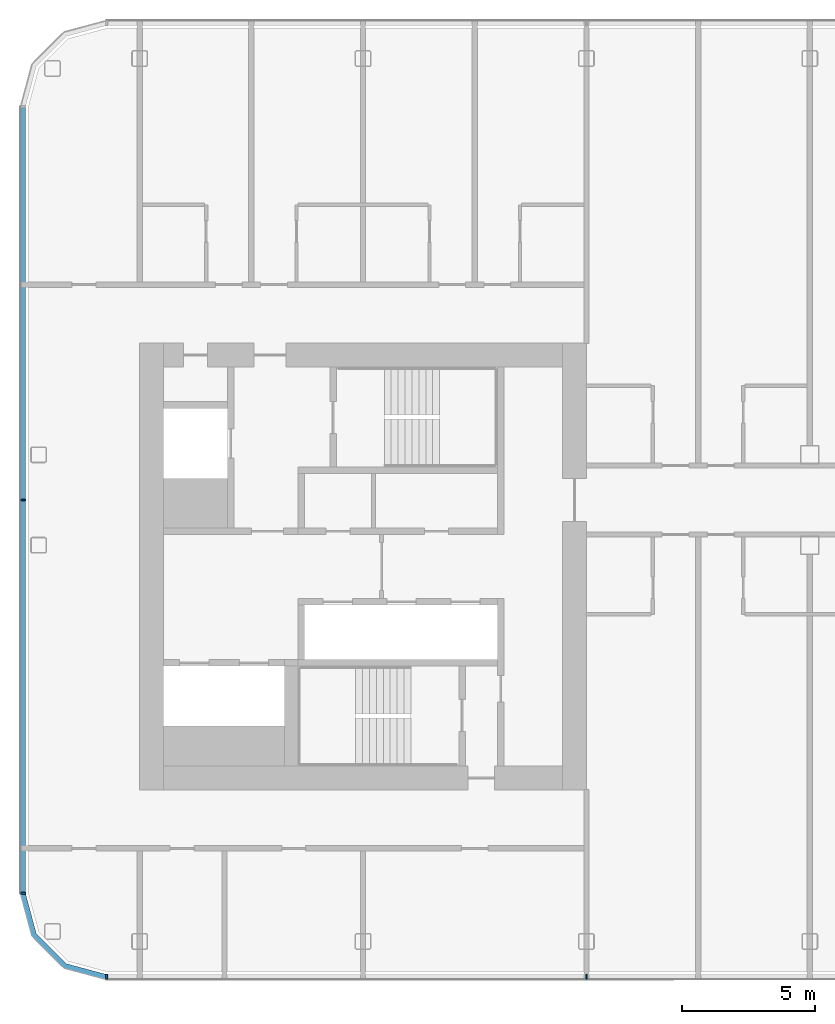
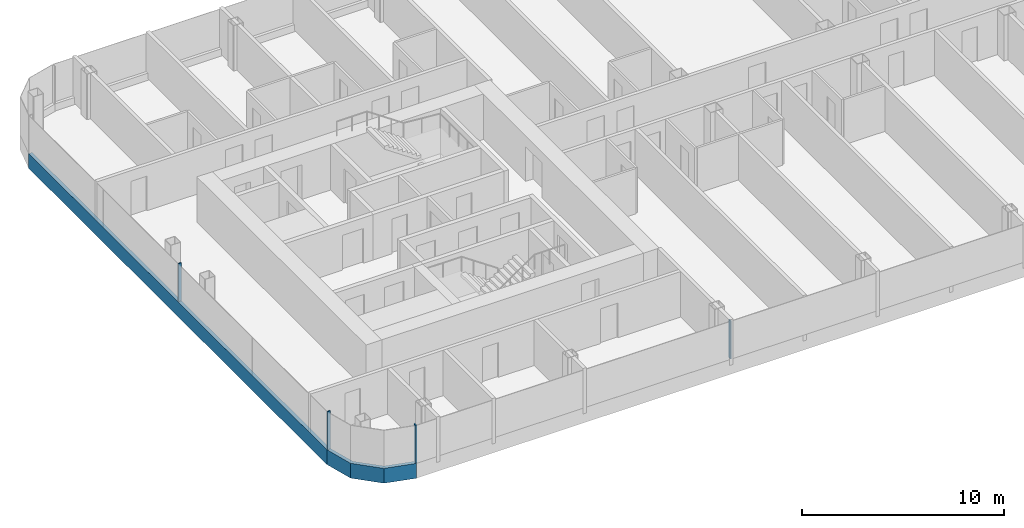
# One storey, part 2 of 26: 6 members, 3 elements without a shape of their own.
"""IFC4 building model written with IfcOpenShell, lengths in metres."""

import ifcopenshell
import ifcopenshell.guid

model = None  # the IFC model being written
_history = None  # IfcOwnerHistory: only IFC2X3 demands one
_inside = {}  # id of a spatial element -> (the spatial element, [elements in it])
_under = {}  # id of a project, library or spatial element -> (it, [spatial elements below it])
_declared = {}  # id of a project -> (the project, [libraries it declares])
_typed = {}  # id of a type object -> (the type object, [elements of that type])
_made_of = {}  # id of a material, layer set ... -> (it, [elements and type objects made of it])


def new_model(schema):
    """Start an empty IFC model of exactly this schema.

    Asked for "IFC4X3", IfcOpenShell would pick the latest addendum, in which some entities
    have other attributes; the version numbers below select the first issue.
    IFC2X3 requires an IfcOwnerHistory on every rooted entity: one is made here for all.
    """
    global model, _history
    if schema == "IFC4X3":
        model = ifcopenshell.file(schema_version=(4, 3, 0, 0))
    else:
        model = ifcopenshell.file(schema=schema)
    _inside.clear()
    _under.clear()
    _declared.clear()
    _typed.clear()
    _made_of.clear()
    _history = None
    if model.schema == "IFC2X3":
        org = make("IfcOrganization", Name="unknown")
        user = make(
            "IfcPersonAndOrganization",
            ThePerson=make("IfcPerson", FamilyName="unknown"),
            TheOrganization=org,
        )
        app = make(
            "IfcApplication",
            ApplicationDeveloper=org,
            Version="unknown",
            ApplicationFullName="unknown",
            ApplicationIdentifier="unknown",
        )
        _history = make(
            "IfcOwnerHistory",
            OwningUser=user,
            OwningApplication=app,
            ChangeAction="ADDED",
            CreationDate=0,
        )
    return model


def make(cls, **values):
    """One entity of the class cls with the attributes given. An attribute that is None is left unset."""
    return model.create_entity(
        cls, **{name: value for name, value in values.items() if value is not None}
    )


def rooted(cls, **values):
    """An entity with a GlobalId (a new one), such as an element, a storey or a relation."""
    return make(cls, GlobalId=ifcopenshell.guid.new(), OwnerHistory=_history, **values)


def si_unit(unit_type, name, prefix=None):
    """IfcSIUnit, for example si_unit("LENGTHUNIT", "METRE", prefix="MILLI")."""
    return make("IfcSIUnit", UnitType=unit_type, Prefix=prefix, Name=name)


def assignment(units):
    """IfcUnitAssignment: the units of a project."""
    return None if units is None else make("IfcUnitAssignment", Units=units)


def point(xyz):
    """IfcCartesianPoint."""
    return None if xyz is None else make("IfcCartesianPoint", Coordinates=xyz)


def direction(xyz):
    """IfcDirection."""
    return None if xyz is None else make("IfcDirection", DirectionRatios=xyz)


def frame(location, z_axis=None, x_axis=None):
    """IfcAxis2Placement3D, a coordinate frame: its origin and axes. An axis left out is left unset."""
    return make(
        "IfcAxis2Placement3D",
        Location=point(location),
        Axis=direction(z_axis),
        RefDirection=direction(x_axis),
    )


def frame_2d(location, x_axis=None):
    """IfcAxis2Placement2D, a coordinate frame in the plane: its origin and x axis."""
    return make(
        "IfcAxis2Placement2D", Location=point(location), RefDirection=direction(x_axis)
    )


def origin():
    """The frame at (0, 0, 0) with its axes left unset."""
    return frame((0.0, 0.0, 0.0))


def origin_2d():
    """The frame at (0, 0) in the plane with its x axis left unset."""
    return frame_2d((0.0, 0.0))


def place(relative_to, where):
    """IfcLocalPlacement: puts the frame where relative to a parent placement (None: the world)."""
    return make(
        "IfcLocalPlacement", PlacementRelTo=relative_to, RelativePlacement=where
    )


def context(
    kind, dimensions, precision=None, world=None, true_north=None, identifier=None
):
    """IfcGeometricRepresentationContext, for example the 3D "Model" context."""
    return make(
        "IfcGeometricRepresentationContext",
        ContextIdentifier=identifier,
        ContextType=kind,
        CoordinateSpaceDimension=dimensions,
        Precision=precision,
        WorldCoordinateSystem=world,
        TrueNorth=true_north,
    )


def subcontext(parent, identifier, kind, view, scale=None):
    """IfcGeometricRepresentationSubContext, for example "Body" below "Model"."""
    return make(
        "IfcGeometricRepresentationSubContext",
        ContextIdentifier=identifier,
        ContextType=kind,
        ParentContext=parent,
        TargetScale=scale,
        TargetView=view,
    )


def project(units=None, contexts=None):
    """IfcProject with its units and contexts."""
    return rooted(
        "IfcProject",
        Name="project",
        RepresentationContexts=contexts,
        UnitsInContext=assignment(units),
    )


def spatial(cls, under=None, at=None, **own):
    """A site, building, storey or space (cls), placed at a placement, below another one or the project."""
    s = rooted(cls, ObjectPlacement=at, **own)
    if under is not None:
        _under.setdefault(under.id(), (under, []))[1].append(s)
    return s


def polyline(points):
    """IfcPolyline through the points."""
    return make("IfcPolyline", Points=[point(p) for p in points])


def profile(cls, at=None, kind="AREA", **sizes):
    """A parametric profile (cls). Its sizes go by their IFC names, for example OverallWidth=200.0."""
    return make(cls, ProfileType=kind, Position=at, **sizes)


def rectangle(**sizes):
    """IfcRectangleProfileDef."""
    return profile("IfcRectangleProfileDef", **sizes)


def outline(outer, holes=None, kind="AREA"):
    """IfcArbitraryClosedProfileDef: a profile drawn as a closed curve; with holes, ...WithVoids."""
    if holes is None:
        return make("IfcArbitraryClosedProfileDef", ProfileType=kind, OuterCurve=outer)
    return make(
        "IfcArbitraryProfileDefWithVoids",
        ProfileType=kind,
        OuterCurve=outer,
        InnerCurves=holes,
    )


def extrude(swept, where, along, depth):
    """IfcExtrudedAreaSolid: the profile swept, set in the frame where, extruded along a direction by depth."""
    return make(
        "IfcExtrudedAreaSolid",
        SweptArea=swept,
        Position=where,
        ExtrudedDirection=direction(along),
        Depth=depth,
    )


def shape(context_of_items, identifier, shape_type, items):
    """IfcShapeRepresentation: the items that make up one representation, for example the "Body"."""
    return make(
        "IfcShapeRepresentation",
        ContextOfItems=context_of_items,
        RepresentationIdentifier=identifier,
        RepresentationType=shape_type,
        Items=items,
    )


def material(Name=None, Category=None):
    """IfcMaterial."""
    return make("IfcMaterial", Name=Name, Category=Category)


def layer(
    of_material, thickness, ventilated=None, Name=None, Category=None, Priority=None
):
    """IfcMaterialLayer: one layer of a wall or slab, of a material (None: an air gap)."""
    return make(
        "IfcMaterialLayer",
        Material=of_material,
        LayerThickness=thickness,
        IsVentilated=ventilated,
        Name=Name,
        Category=Category,
        Priority=Priority,
    )


def layer_set(layers, Name=None):
    """IfcMaterialLayerSet."""
    return make("IfcMaterialLayerSet", MaterialLayers=layers, LayerSetName=Name)


def material_profile(
    of_material, cross_section, Name=None, Category=None, Priority=None
):
    """IfcMaterialProfile: a cross section and its material."""
    return make(
        "IfcMaterialProfile",
        Name=Name,
        Material=of_material,
        Profile=cross_section,
        Priority=Priority,
        Category=Category,
    )


def profile_set(profiles, Name=None, composite=None):
    """IfcMaterialProfileSet."""
    return make(
        "IfcMaterialProfileSet",
        Name=Name,
        MaterialProfiles=profiles,
        CompositeProfile=composite,
    )


def made_of(thing, what):
    """Note that an element or type object is made of a material, layer set ...; save() writes the relation."""
    if what is not None:
        _made_of.setdefault(what.id(), (what, []))[1].append(thing)
    return thing


def type_object(cls, material=None, **own):
    """A type object (cls), such as IfcWallType, which elements share."""
    return made_of(rooted(cls, **own), material)


def element(
    cls,
    number,
    at=None,
    inside=None,
    cuts=None,
    type_object=None,
    material=None,
    context=None,
    identifier="Body",
    shape_type=None,
    held_by="IfcProductDefinitionShape",
    body=None,
    shapes=None,
    **own,
):
    """One element of the class cls, such as IfcWall. Its Tag is "e" and its number.

    at: its placement. inside: the storey or other place that contains it. cuts: it is an
    opening in that element (IfcRelVoidsElement). A single representation is given by context,
    identifier, shape_type and body (its items); several are given by shapes. held_by: the class
    of the entity that holds the representations. save() writes the other relations.
    """
    e = rooted(cls, Tag="e%d" % number, ObjectPlacement=at, **own)
    if body is not None:
        shapes = [shape(context, identifier, shape_type, body)]
    if shapes is not None:
        e.Representation = make(held_by, Representations=shapes)
    if inside is not None:
        _inside.setdefault(inside.id(), (inside, []))[1].append(e)
    if cuts is not None:
        rooted(
            "IfcRelVoidsElement", RelatingBuildingElement=cuts, RelatedOpeningElement=e
        )
    if type_object is not None:
        _typed.setdefault(type_object.id(), (type_object, []))[1].append(e)
    return made_of(e, material)


def aggregate(whole, parts):
    """IfcRelAggregates: a whole, such as a stair, and the parts it consists of."""
    return rooted("IfcRelAggregates", RelatingObject=whole, RelatedObjects=parts)


def save(model, path):
    """Write the relations noted so far, then the file.

    IfcRelAggregates (storeys below a building ...), IfcRelContainedInSpatialStructure (elements
    in a storey), IfcRelDefinesByType, IfcRelAssociatesMaterial and IfcRelDeclares: one each for
    every whole, place, type object, material and project.
    """
    for whole, parts in _under.values():
        aggregate(whole, parts)
    for where, things in _inside.values():
        rooted(
            "IfcRelContainedInSpatialStructure",
            RelatedElements=things,
            RelatingStructure=where,
        )
    for kind, things in _typed.values():
        rooted("IfcRelDefinesByType", RelatedObjects=things, RelatingType=kind)
    for what, things in _made_of.values():
        rooted("IfcRelAssociatesMaterial", RelatedObjects=things, RelatingMaterial=what)
    for by, libraries in _declared.values():
        rooted("IfcRelDeclares", RelatingContext=by, RelatedDefinitions=libraries)
    model.write(path)


model = new_model("IFC4")

# Units and contexts
model_context = context("Model", 3, precision=1e-05, world=origin(), true_north=direction((0.0, 1.0)))
body_context = subcontext(model_context, "Body", "Model", "MODEL_VIEW")
ifc_project = project(units=[si_unit("LENGTHUNIT", "METRE"), si_unit("AREAUNIT", "SQUARE_METRE"), si_unit("VOLUMEUNIT", "CUBIC_METRE"), si_unit("PLANEANGLEUNIT", "RADIAN"), si_unit("MASSUNIT", "GRAM", prefix="KILO")], contexts=[model_context])

# Site, building, storey
site_placement = place(None, origin())
site = spatial("IfcSite", under=ifc_project, at=site_placement, CompositionType="ELEMENT")
building_placement = place(site_placement, origin())
building = spatial("IfcBuilding", under=site, at=building_placement, Name="Hakoniwa Tower and Hamabe Station Hall", CompositionType="ELEMENT")
storey_placement = place(building_placement, frame((0.0, 0.0, 189.800048828125)))
storey = spatial("IfcBuildingStorey", under=building, at=storey_placement, Name="L53", CompositionType="ELEMENT", Elevation=189.800048828125)

# Curtain wall, member
ifc_material_1 = material(Name="Dark low-e laminated glass", Category="glass")
ifc_layer = layer(ifc_material_1, 0.199951171875)
ifc_layer_set = layer_set([ifc_layer], Name="CW-1 UNITISED GUEST")
curtain_wall_type = type_object("IfcCurtainWallType", Name="CW-1 UNITISED GUEST", PredefinedType="NOTDEFINED", material=ifc_layer_set)
curtain_wall_1_placement = place(storey_placement, origin())
curtain_wall_1 = element("IfcCurtainWall", 1, at=curtain_wall_1_placement, inside=storey, type_object=curtain_wall_type, Name="CW-1 curtain wall", PredefinedType="NOTDEFINED")
ifc_material_2 = material(Name="Aluminium 6063-T5 black anodised", Category="aluminium")
ifc_material_profile_1 = material_profile(ifc_material_2, rectangle(XDim=0.199951171875, YDim=0.89990234375, at=origin_2d()), Name="CW SLAB-EDGE BAND 900X200")
ifc_profile_set_1 = profile_set([ifc_material_profile_1], Name="Aluminium 6063-T5 black anodised")
member_type_1 = type_object("IfcMemberType", Name="CW SLAB-EDGE BAND 900X200", PredefinedType="USERDEFINED", material=ifc_profile_set_1)
member_1_placement = place(storey_placement, frame((-38.0, 17.28955078125, -0.10009765625), z_axis=(0.0, -1.0, 0.0), x_axis=(1.0, 0.0, 0.0)))
member_1 = element("IfcMember", 2, at=member_1_placement, type_object=member_type_1, Name="CW-1 transom", ObjectType="TRANSOM", PredefinedType="USERDEFINED", context=body_context, shape_type="SweptSolid", body=[
    extrude(rectangle(XDim=0.199951171875, YDim=0.89990234375, at=origin_2d()), origin(), (0.0, 0.0, 1.0), 29.5791015625),
])

curtain_wall_2_placement = place(storey_placement, origin())
curtain_wall_2 = element("IfcCurtainWall", 3, at=curtain_wall_2_placement, inside=storey, type_object=curtain_wall_type, Name="CW-1 curtain wall", PredefinedType="NOTDEFINED")
member_2_placement = place(storey_placement, frame((0.0, 0.0, -0.550048828125)))
member_2 = element("IfcMember", 4, at=member_2_placement, type_object=member_type_1, Name="CW-1 transom", ObjectType="TRANSOM", PredefinedType="USERDEFINED", context=body_context, shape_type="SweptSolid", body=[
    extrude(outline(polyline([(-38.10009765625, -12.28955078125), (-37.6669921875, -13.9052734375), (-36.455322265625, -15.116943359375), (-34.839599609375, -15.550048828125), (-34.787841796875, -15.35693359375), (-36.351806640625, -14.937744140625), (-37.48779296875, -13.8017578125), (-37.90673828125, -12.23779296875), (-38.10009765625, -12.28955078125)])), origin(), (0.0, 0.0, 1.0), 0.89990234375),
])
aggregate(curtain_wall_2, [member_2])

# Member
ifc_material_3 = material(Name="Aluminium 6063-T5 black anodised", Category="aluminium")
ifc_material_profile_2 = material_profile(ifc_material_3, rectangle(XDim=0.06005859375, YDim=0.179931640625, at=origin_2d()), Name="CW-1 MULLION 60X180")
ifc_profile_set_2 = profile_set([ifc_material_profile_2], Name="Aluminium 6063-T5 black anodised")
member_type_2 = type_object("IfcMemberType", Name="CW-1 MULLION 60X180", PredefinedType="MULLION", material=ifc_profile_set_2)
member_3_placement = place(storey_placement, frame((-37.98193359375, 2.5, 0.349853515625), z_axis=(0.0, 0.0, 1.0), x_axis=(0.0, -1.0, 0.0)))
member_3 = element("IfcMember", 5, at=member_3_placement, type_object=member_type_2, Name="CW-1 mullion", PredefinedType="MULLION", context=body_context, shape_type="SweptSolid", body=[
    extrude(rectangle(XDim=0.06005859375, YDim=0.179931640625, at=origin_2d()), origin(), (0.0, 0.0, 1.0), 2.300048828125),
])

member_4_placement = place(storey_placement, frame((-37.98193359375, -12.28955078125, 0.349853515625), z_axis=(0.0, 0.0, 1.0), x_axis=(0.0, -1.0, 0.0)))
member_4 = element("IfcMember", 6, at=member_4_placement, type_object=member_type_2, Name="CW-1 mullion", PredefinedType="MULLION", context=body_context, shape_type="SweptSolid", body=[
    extrude(rectangle(XDim=0.06005859375, YDim=0.179931640625, at=origin_2d()), origin(), (0.0, 0.0, 1.0), 2.300048828125),
])

aggregate(curtain_wall_1, [member_3, member_4, member_1])

# Curtain wall, members
curtain_wall_3_placement = place(storey_placement, origin())
curtain_wall_3 = element("IfcCurtainWall", 7, at=curtain_wall_3_placement, inside=storey, type_object=curtain_wall_type, Name="CW-1 curtain wall", PredefinedType="NOTDEFINED")
member_5_placement = place(storey_placement, frame((-34.839599609375, -15.431884765625, 0.349853515625), z_axis=(0.0, 0.0, 1.0), x_axis=(1.0, 0.0, 0.0)))
member_5 = element("IfcMember", 8, at=member_5_placement, type_object=member_type_2, Name="CW-1 mullion", PredefinedType="MULLION", context=body_context, shape_type="SweptSolid", body=[
    extrude(rectangle(XDim=0.06005859375, YDim=0.179931640625, at=origin_2d()), origin(), (0.0, 0.0, 1.0), 2.300048828125),
])
member_6_placement = place(storey_placement, frame((-16.800048828125, -15.431884765625, 0.349853515625), z_axis=(0.0, 0.0, 1.0), x_axis=(1.0, 0.0, 0.0)))
member_6 = element("IfcMember", 9, at=member_6_placement, type_object=member_type_2, Name="CW-1 mullion", PredefinedType="MULLION", context=body_context, shape_type="SweptSolid", body=[
    extrude(rectangle(XDim=0.06005859375, YDim=0.179931640625, at=origin_2d()), origin(), (0.0, 0.0, 1.0), 2.300048828125),
])
aggregate(curtain_wall_3, [member_5, member_6])

save(model, "model.ifc")
